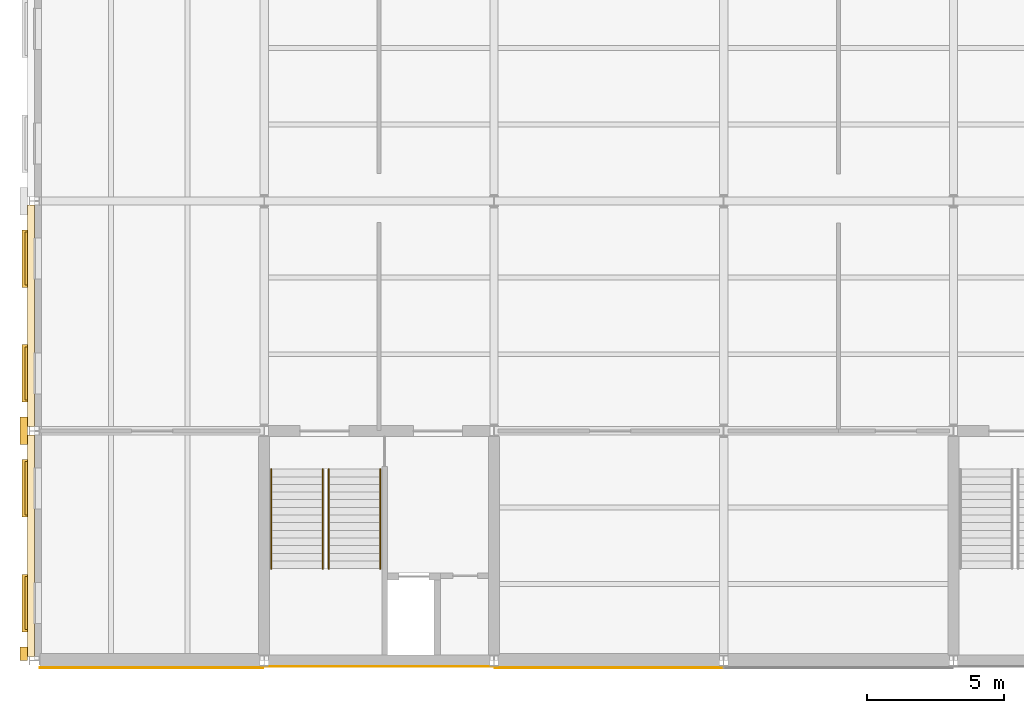
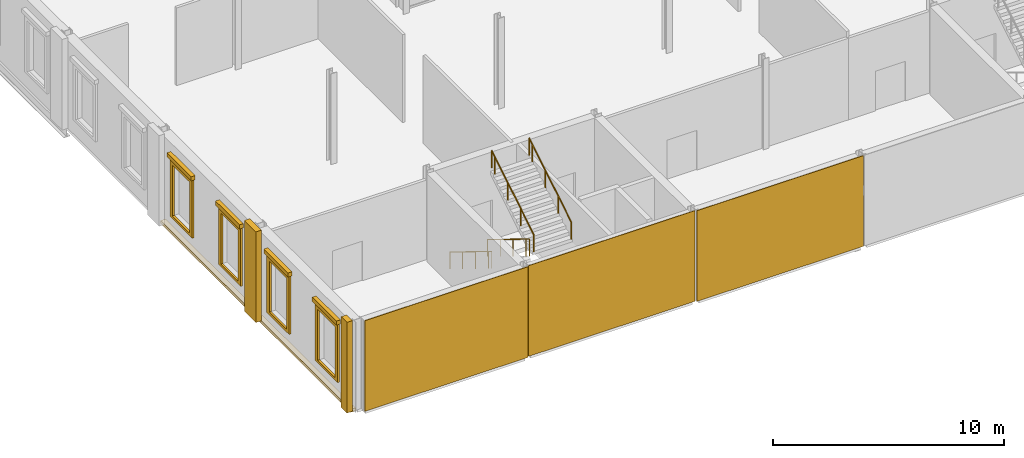
# One storey, part 37 of 52: 15 coverings, 4 railings.
"""IFC4 building model written with IfcOpenShell, lengths in metres."""

from ifc_helpers import new_model, si_unit, direction, frame, origin, origin_2d, place, context, subcontext, project, spatial, polyline, rectangle, circle, outline, extrude, material, layer, layer_set, type_object, element, save


model = new_model("IFC4")

# Units and contexts
model_context = context("Model", 3, precision=1e-05, world=origin(), true_north=direction((0.0, 1.0)))
body_context = subcontext(model_context, "Body", "Model", "MODEL_VIEW")
ifc_project = project(units=[si_unit("LENGTHUNIT", "METRE"), si_unit("AREAUNIT", "SQUARE_METRE"), si_unit("VOLUMEUNIT", "CUBIC_METRE"), si_unit("PLANEANGLEUNIT", "RADIAN"), si_unit("MASSUNIT", "GRAM", prefix="KILO")], contexts=[model_context])

# Site, building, storey
site_placement = place(None, origin())
site = spatial("IfcSite", under=ifc_project, at=site_placement, CompositionType="ELEMENT")
building_placement = place(site_placement, origin())
building = spatial("IfcBuilding", under=site, at=building_placement, Name="Galleria Vessillo Department Store", CompositionType="ELEMENT")
storey_placement = place(building_placement, frame((0.0, 0.0, 16.199951171875)))
storey = spatial("IfcBuildingStorey", under=building, at=storey_placement, Name="L03", CompositionType="ELEMENT", Elevation=16.199951171875)

# Coverings
ifc_material_1 = material(Name="Lime plaster (intonaco) ochre")
ifc_layer_1 = layer(ifc_material_1, 0.030029296875)
ifc_layer_set_1 = layer_set([ifc_layer_1], Name="Lime plaster (intonaco) ochre")
covering_type_1 = type_object("IfcCoveringType", Name="Lime plaster render 30 mm", PredefinedType="CLADDING", material=ifc_layer_set_1)
covering_1_placement = place(storey_placement, frame((4.284912109375, -0.264892578125, 0.0), z_axis=(0.0, 0.0, 1.0), x_axis=(1.0, 0.0, 0.0)))
element("IfcCovering", 1, at=covering_1_placement, inside=storey, type_object=covering_type_1, Name="Wall cladding S-PS-L03-01", PredefinedType="CLADDING", context=body_context, shape_type="SweptSolid", body=[
    extrude(rectangle(XDim=8.170166015625, YDim=0.030029296875, at=origin_2d()), origin(), (0.0, 0.0, 1.0), 4.800048828125),
])
for number, where, z_axis, x_axis, name in (
    (2, (12.599853515625, -0.215087890625, 0.0), (0.0, 0.0, 1.0), (1.0, 0.0, 0.0), "Wall cladding S-CW-PC-SW-PARTY-L03"),
    (3, (21.0, -0.264892578125, 0.0), (0.0, 0.0, 1.0), (1.0, 0.0, 0.0), "Wall cladding S-PS-L03-02"),
):
    element("IfcCovering", number, at=place(storey_placement, frame(where, z_axis=z_axis, x_axis=x_axis)), inside=storey, type_object=covering_type_1, Name=name, PredefinedType="CLADDING", context=body_context, shape_type="SweptSolid", body=[
        extrude(rectangle(XDim=8.340087890625, YDim=0.030029296875, at=origin_2d()), origin(), (0.0, 0.0, 1.0), 4.800048828125),
    ])
ifc_material_2 = material(Name="Botticino limestone ashlar", Category="masonry")
ifc_layer_2 = layer(ifc_material_2, 0.280029296875)
ifc_layer_set_2 = layer_set([ifc_layer_2], Name="Botticino limestone ashlar")
covering_type_2 = type_object("IfcCoveringType", Name="Limestone giant pilaster 1000 x 280", PredefinedType="CLADDING", material=ifc_layer_set_2)
covering_2_placement = place(storey_placement, frame((-0.389892578125, 0.25, 0.0), z_axis=(0.0, 0.0, 1.0), x_axis=(1.0, 0.0, 0.0)))
element("IfcCovering", 4, at=covering_2_placement, inside=storey, type_object=covering_type_2, Name="Giant pilaster W L03 y=0.0", PredefinedType="CLADDING", context=body_context, shape_type="SweptSolid", body=[
    extrude(rectangle(XDim=0.280029296875, YDim=0.5, at=origin_2d()), origin(), (0.0, 0.0, 1.0), 4.800048828125),
])
covering_3_placement = place(storey_placement, frame((-0.389892578125, 8.39990234375, 0.0), z_axis=(0.0, 0.0, 1.0), x_axis=(1.0, 0.0, 0.0)))
element("IfcCovering", 5, at=covering_3_placement, inside=storey, type_object=covering_type_2, Name="Giant pilaster W L03 y=8.4", PredefinedType="CLADDING", context=body_context, shape_type="SweptSolid", body=[
    extrude(rectangle(XDim=0.280029296875, YDim=1.0, at=origin_2d()), origin(), (0.0, 0.0, 1.0), 4.800048828125),
])
ifc_material_3 = material(Name="Botticino limestone ashlar", Category="masonry")
ifc_layer_3 = layer(ifc_material_3, 0.14990234375)
ifc_layer_set_3 = layer_set([ifc_layer_3], Name="Botticino limestone ashlar")
covering_type_3 = type_object("IfcCoveringType", Name="Limestone slab-edge fascia 150 mm", PredefinedType="CLADDING", material=ifc_layer_set_3)
covering_4_placement = place(storey_placement, frame((-0.125, 4.199951171875, -0.14990234375), z_axis=(0.0, 0.0, 1.0), x_axis=(1.0, 0.0, 0.0)))
element("IfcCovering", 6, at=covering_4_placement, inside=storey, type_object=covering_type_3, Name="Slab-edge fascia SW-L02-01", PredefinedType="CLADDING", context=body_context, shape_type="SweptSolid", body=[
    extrude(rectangle(XDim=0.25, YDim=8.099853515625, at=origin_2d()), origin(), (0.0, 0.0, 1.0), 0.14990234375),
])
covering_5_placement = place(storey_placement, frame((-0.125, 12.60009765625, -0.14990234375), z_axis=(0.0, 0.0, 1.0), x_axis=(1.0, 0.0, 0.0)))
element("IfcCovering", 7, at=covering_5_placement, inside=storey, type_object=covering_type_3, Name="Slab-edge fascia SW-L02-02", PredefinedType="CLADDING", context=body_context, shape_type="SweptSolid", body=[
    extrude(rectangle(XDim=0.25, YDim=8.10009765625, at=origin_2d()), origin(), (0.0, 0.0, 1.0), 0.14990234375),
])
ifc_material_4 = material(Name="Botticino limestone ashlar", Category="masonry")
ifc_layer_4 = layer(ifc_material_4, 0.199951171875)
ifc_layer_set_4 = layer_set([ifc_layer_4], Name="Botticino limestone ashlar")
covering_type_4 = type_object("IfcCoveringType", Name="Limestone window hood 200 mm", PredefinedType="MOLDING", material=ifc_layer_set_4)
covering_6_placement = place(storey_placement, frame((-0.25, 0.0, 1.0), z_axis=(-1.0, 0.0, 0.0), x_axis=(0.0, -1.0, 0.0)))
element("IfcCovering", 8, at=covering_6_placement, inside=storey, type_object=covering_type_4, Name="Window hood W013", PredefinedType="MOLDING", context=body_context, shape_type="SweptSolid", body=[
    extrude(outline(polyline([(-1.050048828125, 3.199951171875), (-3.150146484375, 3.199951171875), (-3.150146484375, 2.97998046875), (-1.050048828125, 2.97998046875), (-1.050048828125, 3.199951171875)])), origin(), (0.0, 0.0, 1.0), 0.199951171875),
])
covering_7_placement = place(storey_placement, frame((-0.25, 0.0, 1.0), z_axis=(-1.0, 0.0, 0.0), x_axis=(0.0, -1.0, 0.0)))
element("IfcCovering", 9, at=covering_7_placement, inside=storey, type_object=covering_type_4, Name="Window hood W014", PredefinedType="MOLDING", context=body_context, shape_type="SweptSolid", body=[
    extrude(outline(polyline([(-5.25, 3.199951171875), (-7.35009765625, 3.199951171875), (-7.35009765625, 2.97998046875), (-5.25, 2.97998046875), (-5.25, 3.199951171875)])), origin(), (0.0, 0.0, 1.0), 0.199951171875),
])
covering_8_placement = place(storey_placement, frame((-0.25, 0.0, 1.0), z_axis=(-1.0, 0.0, 0.0), x_axis=(0.0, -1.0, 0.0)))
element("IfcCovering", 10, at=covering_8_placement, inside=storey, type_object=covering_type_4, Name="Window hood W015", PredefinedType="MOLDING", context=body_context, shape_type="SweptSolid", body=[
    extrude(outline(polyline([(-9.449951171875, 3.199951171875), (-11.550048828125, 3.199951171875), (-11.550048828125, 2.97998046875), (-9.449951171875, 2.97998046875), (-9.449951171875, 3.199951171875)])), origin(), (0.0, 0.0, 1.0), 0.199951171875),
])
covering_9_placement = place(storey_placement, frame((-0.25, 0.0, 1.0), z_axis=(-1.0, 0.0, 0.0), x_axis=(0.0, -1.0, 0.0)))
element("IfcCovering", 11, at=covering_9_placement, inside=storey, type_object=covering_type_4, Name="Window hood W016", PredefinedType="MOLDING", context=body_context, shape_type="SweptSolid", body=[
    extrude(outline(polyline([(-13.64990234375, 3.199951171875), (-15.75, 3.199951171875), (-15.75, 2.97998046875), (-13.64990234375, 2.97998046875), (-13.64990234375, 3.199951171875)])), origin(), (0.0, 0.0, 1.0), 0.199951171875),
])
ifc_material_5 = material(Name="Botticino limestone ashlar", Category="masonry")
ifc_layer_5 = layer(ifc_material_5, 0.10009765625)
ifc_layer_set_5 = layer_set([ifc_layer_5], Name="Botticino limestone ashlar")
covering_type_5 = type_object("IfcCoveringType", Name="Limestone window surround 100 mm", PredefinedType="CLADDING", material=ifc_layer_set_5)
covering_10_placement = place(storey_placement, frame((-0.25, 0.0, 1.0), z_axis=(-1.0, 0.0, 0.0), x_axis=(0.0, -1.0, 0.0)))
element("IfcCovering", 12, at=covering_10_placement, inside=storey, type_object=covering_type_5, Name="Window surround W013", PredefinedType="CLADDING", context=body_context, shape_type="SweptSolid", body=[
    extrude(outline(polyline([(-1.130126953125, 2.97998046875), (-3.070068359375, 2.97998046875), (-3.070068359375, -0.139892578125), (-1.130126953125, -0.139892578125), (-1.130126953125, 2.97998046875)]), holes=[polyline([(-1.35009765625, 2.699951171875), (-2.85009765625, 2.699951171875), (-2.85009765625, 0.0), (-1.35009765625, 0.0), (-1.35009765625, 2.699951171875)])]), origin(), (0.0, 0.0, 1.0), 0.10009765625),
])
covering_11_placement = place(storey_placement, frame((-0.25, 0.0, 1.0), z_axis=(-1.0, 0.0, 0.0), x_axis=(0.0, -1.0, 0.0)))
element("IfcCovering", 13, at=covering_11_placement, inside=storey, type_object=covering_type_5, Name="Window surround W014", PredefinedType="CLADDING", context=body_context, shape_type="SweptSolid", body=[
    extrude(outline(polyline([(-5.330078125, 2.97998046875), (-7.27001953125, 2.97998046875), (-7.27001953125, -0.139892578125), (-5.330078125, -0.139892578125), (-5.330078125, 2.97998046875)]), holes=[polyline([(-5.550048828125, 2.699951171875), (-7.050048828125, 2.699951171875), (-7.050048828125, 0.0), (-5.550048828125, 0.0), (-5.550048828125, 2.699951171875)])]), origin(), (0.0, 0.0, 1.0), 0.10009765625),
])
covering_12_placement = place(storey_placement, frame((-0.25, 0.0, 1.0), z_axis=(-1.0, 0.0, 0.0), x_axis=(0.0, -1.0, 0.0)))
element("IfcCovering", 14, at=covering_12_placement, inside=storey, type_object=covering_type_5, Name="Window surround W015", PredefinedType="CLADDING", context=body_context, shape_type="SweptSolid", body=[
    extrude(outline(polyline([(-9.530029296875, 2.97998046875), (-11.469970703125, 2.97998046875), (-11.469970703125, -0.139892578125), (-9.530029296875, -0.139892578125), (-9.530029296875, 2.97998046875)]), holes=[polyline([(-9.75, 2.699951171875), (-11.25, 2.699951171875), (-11.25, 0.0), (-9.75, 0.0), (-9.75, 2.699951171875)])]), origin(), (0.0, 0.0, 1.0), 0.10009765625),
])
covering_13_placement = place(storey_placement, frame((-0.25, 0.0, 1.0), z_axis=(-1.0, 0.0, 0.0), x_axis=(0.0, -1.0, 0.0)))
element("IfcCovering", 15, at=covering_13_placement, inside=storey, type_object=covering_type_5, Name="Window surround W016", PredefinedType="CLADDING", context=body_context, shape_type="SweptSolid", body=[
    extrude(outline(polyline([(-13.72998046875, 2.97998046875), (-15.669921875, 2.97998046875), (-15.669921875, -0.139892578125), (-13.72998046875, -0.139892578125), (-13.72998046875, 2.97998046875)]), holes=[polyline([(-13.949951171875, 2.699951171875), (-15.449951171875, 2.699951171875), (-15.449951171875, 0.0), (-13.949951171875, 0.0), (-13.949951171875, 2.699951171875)])]), origin(), (0.0, 0.0, 1.0), 0.10009765625),
])

# Railings
ifc_material_6 = material(Name="Stainless steel tube", Category="steel")
railing_type = type_object("IfcRailingType", Name="Stair handrail steel tube 48 mm", PredefinedType="HANDRAIL", material=ifc_material_6)
for number, where, name in (
    (16, (10.5400390625, 7.0, 0.17138671875), "Handrail ST1 L03 flight 1A"),
    (17, (8.66015625, 7.0, 0.17138671875), "Handrail ST1 L03 flight 1B"),
):
    element("IfcRailing", number, at=place(storey_placement, frame(where)), inside=storey, type_object=railing_type, Name=name, PredefinedType="HANDRAIL", context=body_context, shape_type="SweptSolid", body=[
        extrude(circle(Radius=0.02392578125, at=origin_2d()), frame((0.0, 0.0, 0.89599609375), z_axis=(0.0, -0.852849614702, 0.52215661894), x_axis=(1.0, 0.0, 0.0)), (0.0, 0.0, 1.0), 1.3134765625),
        extrude(circle(Radius=0.02392578125, at=origin_2d()), frame((0.0, -1.1201171875, 1.58154296875), z_axis=(0.0, -0.852798921012, 0.522239409008), x_axis=(1.0, 0.0, 0.0)), (0.0, 0.0, 1.0), 1.313232421875),
        extrude(circle(Radius=0.02392578125, at=origin_2d()), frame((0.0, -2.239990234375, 2.267578125), z_axis=(0.0, -0.852932391421, 0.522021393877), x_axis=(1.0, 0.0, 0.0)), (0.0, 0.0, 1.0), 1.313232421875),
        extrude(circle(Radius=0.02392578125, at=origin_2d()), frame((0.0, -3.360107421875, 2.953125), z_axis=(0.0, -0.852729557261, 0.522352660731), x_axis=(1.0, 0.0, 0.0)), (0.0, 0.0, 1.0), 0.328125),
        extrude(circle(Radius=0.02099609375, at=origin_2d()), origin(), (0.0, 0.0, 1.0), 0.871826171875),
        extrude(circle(Radius=0.02099609375, at=origin_2d()), frame((0.0, -1.1201171875, 0.685791015625)), (0.0, 0.0, 1.0), 0.871826171875),
        extrude(circle(Radius=0.02099609375, at=origin_2d()), frame((0.0, -2.239990234375, 1.37158203125)), (0.0, 0.0, 1.0), 0.871826171875),
        extrude(circle(Radius=0.02099609375, at=origin_2d()), frame((0.0, -3.360107421875, 2.05712890625)), (0.0, 0.0, 1.0), 0.871826171875),
        extrude(circle(Radius=0.02099609375, at=origin_2d()), frame((0.0, -3.639892578125, 2.228515625)), (0.0, 0.0, 1.0), 0.871826171875),
    ])
for number, where, name in (
    (18, (10.760009765625, 3.360107421875, 2.571533203125), "Handrail ST1 L03 flight 2A"),
    (19, (12.639892578125, 3.360107421875, 2.571533203125), "Handrail ST1 L03 flight 2B"),
):
    element("IfcRailing", number, at=place(storey_placement, frame(where)), inside=storey, type_object=railing_type, Name=name, PredefinedType="HANDRAIL", context=body_context, shape_type="SweptSolid", body=[
        extrude(circle(Radius=0.02392578125, at=origin_2d()), frame((0.0, 0.0, 0.89599609375), z_axis=(0.0, 0.852849614702, 0.52215661894), x_axis=(-1.0, 0.0, 0.0)), (0.0, 0.0, 1.0), 1.3134765625),
        extrude(circle(Radius=0.02392578125, at=origin_2d()), frame((0.0, 1.1201171875, 1.58154296875), z_axis=(0.0, 0.852798921012, 0.522239409008), x_axis=(-1.0, 0.0, 0.0)), (0.0, 0.0, 1.0), 1.313232421875),
        extrude(circle(Radius=0.02392578125, at=origin_2d()), frame((0.0, 2.239990234375, 2.267578125), z_axis=(0.0, 0.852932391421, 0.522021393877), x_axis=(-1.0, 0.0, 0.0)), (0.0, 0.0, 1.0), 1.313232421875),
        extrude(circle(Radius=0.02392578125, at=origin_2d()), frame((0.0, 3.360107421875, 2.953125), z_axis=(0.0, 0.852729557261, 0.522352660731), x_axis=(-1.0, 0.0, 0.0)), (0.0, 0.0, 1.0), 0.328125),
        extrude(circle(Radius=0.02099609375, at=origin_2d()), origin(), (0.0, 0.0, 1.0), 0.871826171875),
        extrude(circle(Radius=0.02099609375, at=origin_2d()), frame((0.0, 1.1201171875, 0.685791015625)), (0.0, 0.0, 1.0), 0.871826171875),
        extrude(circle(Radius=0.02099609375, at=origin_2d()), frame((0.0, 2.239990234375, 1.37158203125)), (0.0, 0.0, 1.0), 0.871826171875),
        extrude(circle(Radius=0.02099609375, at=origin_2d()), frame((0.0, 3.360107421875, 2.05712890625)), (0.0, 0.0, 1.0), 0.871826171875),
        extrude(circle(Radius=0.02099609375, at=origin_2d()), frame((0.0, 3.639892578125, 2.228515625)), (0.0, 0.0, 1.0), 0.871826171875),
    ])

save(model, "model.ifc")
